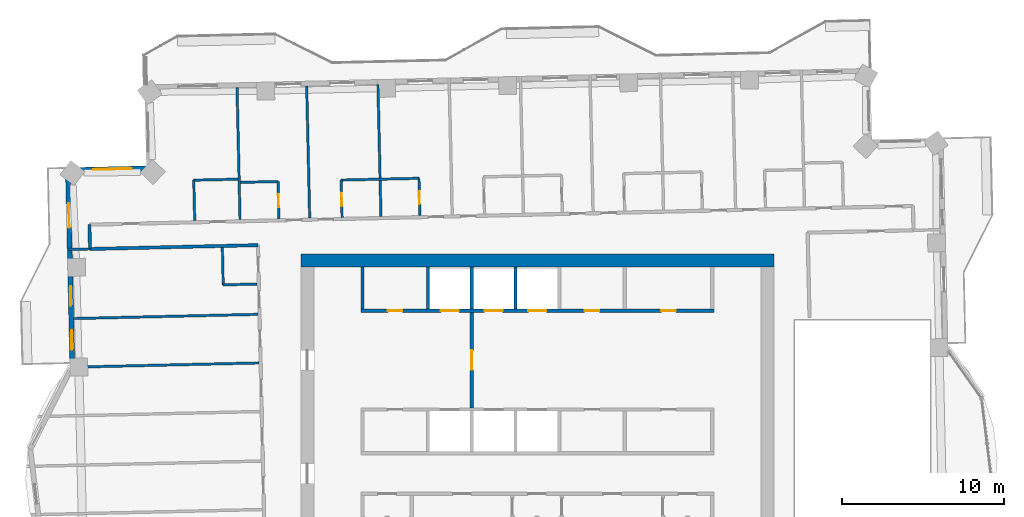
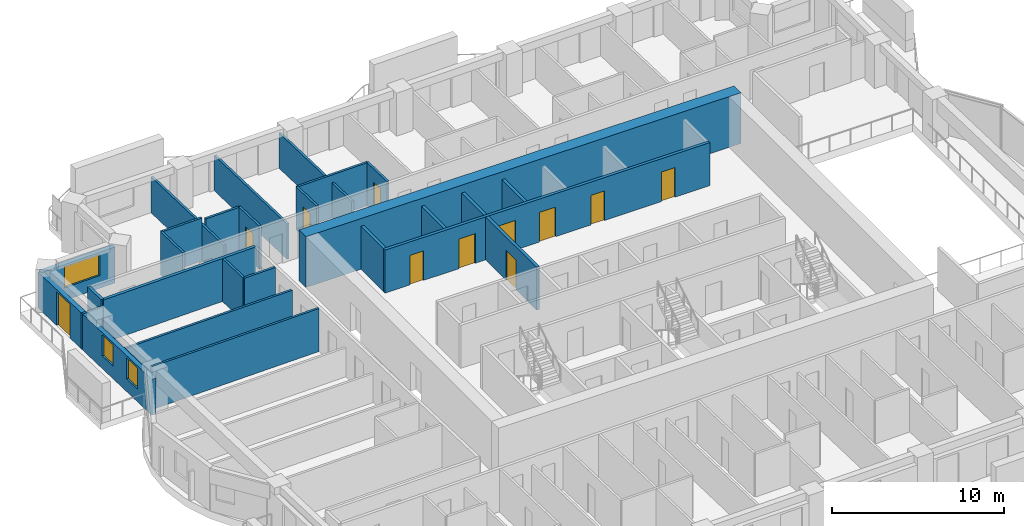
# One storey, part 10 of 17: 26 walls, 11 doors, 3 windows, 14 openings.
"""IFC4 building model written with IfcOpenShell, lengths in metres."""

from ifc_helpers import new_model, si_unit, direction, frame, frame_2d, origin, place, context, subcontext, project, spatial, rectangle, extrude, material, layer, layer_set, type_object, element, fill, save


model = new_model("IFC4")

# Units and contexts
model_context = context("Model", 3, precision=1e-05, world=origin(), true_north=direction((0.0, 1.0)))
body_context = subcontext(model_context, "Body", "Model", "MODEL_VIEW")
ifc_project = project(units=[si_unit("LENGTHUNIT", "METRE"), si_unit("AREAUNIT", "SQUARE_METRE"), si_unit("VOLUMEUNIT", "CUBIC_METRE"), si_unit("PLANEANGLEUNIT", "RADIAN"), si_unit("MASSUNIT", "GRAM", prefix="KILO")], contexts=[model_context])

# Site, building, storey
site_placement = place(None, origin())
site = spatial("IfcSite", under=ifc_project, at=site_placement, CompositionType="ELEMENT")
building_placement = place(site_placement, origin())
building = spatial("IfcBuilding", under=site, at=building_placement, Name="Mangrove Gate Tower", CompositionType="ELEMENT")
storey_placement = place(building_placement, frame((0.0, 0.0, 234.699951171875)))
storey = spatial("IfcBuildingStorey", under=building, at=storey_placement, Name="L59", CompositionType="ELEMENT", Elevation=234.699951171875)

# Wall, opening, door
ifc_material_1 = material(Name="Concrete C32/40", Category="concrete")
ifc_layer_1 = layer(ifc_material_1, 0.199951171875)
ifc_layer_set_1 = layer_set([ifc_layer_1], Name="Core lobby wall 200 C32/40")
wall_type_1 = type_object("IfcWallType", Name="Core lobby wall 200 C32/40", PredefinedType="STANDARD", material=ifc_layer_set_1)
wall_1_placement = place(storey_placement, frame((-4.050048828125, 2.10009765625, 0.0), z_axis=(0.0, 0.0, 1.0), x_axis=(0.0, 1.0, 0.0)))
wall_1 = element("IfcWall", 1, at=wall_1_placement, inside=storey, type_object=wall_type_1, Name="WALL-L59-CORE-33", PredefinedType="STANDARD", context=body_context, shape_type="SweptSolid", body=[
    extrude(rectangle(XDim=5.89990234375, YDim=0.199951171875, at=frame_2d((2.949951171875, 0.0))), origin(), (0.0, 0.0, 1.0), 3.050048828125),
])
opening_1_placement = place(wall_1_placement, frame((2.35009765625, 0.0, 0.0)))
opening_1 = element("IfcOpeningElement", 2, at=opening_1_placement, cuts=wall_1, Name="Opening FL12", PredefinedType="OPENING", context=body_context, shape_type="SweptSolid", body=[
    extrude(rectangle(XDim=1.199951171875, YDim=2.10009765625, at=frame_2d((0.60009765625, 1.050048828125))), frame((0.0, 0.10986328125, 0.0), z_axis=(0.0, -1.0, 0.0), x_axis=(1.0, 0.0, 0.0)), (0.0, 0.0, 1.0), 0.219970703125),
])
ifc_material_2 = material(Name="Fire-rated steel door set", Category="steel")
door_type_1 = type_object("IfcDoorType", Name="Lobby door FD60 1200x2100", OperationType="SINGLE_SWING_LEFT", PredefinedType="DOOR", material=ifc_material_2)
door_1_placement = place(opening_1_placement, origin())
door_1 = element("IfcDoor", 3, at=door_1_placement, inside=storey, type_object=door_type_1, Name="Lobby door lift lobby partition", OperationType="SINGLE_SWING_LEFT", OverallHeight=2.10009765625, OverallWidth=1.199951171875, PredefinedType="DOOR", context=body_context, shape_type="SweptSolid", body=[
    extrude(rectangle(XDim=1.199951171875, YDim=2.10009765625, at=frame_2d((0.60009765625, 1.050048828125))), frame((0.0, 0.02490234375, 0.0), z_axis=(0.0, -1.0, 0.0), x_axis=(1.0, 0.0, 0.0)), (0.0, 0.0, 1.0), 0.050048828125),
])
fill(opening_1, door_1)

# Wall
ifc_material_3 = material(Name="Concrete C32/40", Category="concrete")
ifc_layer_2 = layer(ifc_material_3, 0.199951171875)
ifc_layer_set_2 = layer_set([ifc_layer_2], Name="Core room wall 200 C32/40")
wall_type_2 = type_object("IfcWallType", Name="Core room wall 200 C32/40", PredefinedType="STANDARD", material=ifc_layer_set_2)
wall_2_placement = place(storey_placement, frame((-10.800048828125, 8.199951171875, 0.0), z_axis=(0.0, 0.0, 1.0), x_axis=(0.0, 1.0, 0.0)))
element("IfcWall", 4, at=wall_2_placement, inside=storey, type_object=wall_type_2, Name="WALL-L59-CORE-26", PredefinedType="STANDARD", context=body_context, shape_type="SweptSolid", body=[
    extrude(rectangle(XDim=2.60009765625, YDim=0.199951171875, at=frame_2d((1.300048828125, 0.0))), origin(), (0.0, 0.0, 1.0), 3.050048828125),
])

# Wall, openings, doors
ifc_material_4 = material(Name="Concrete C60/75", Category="concrete")
ifc_layer_3 = layer(ifc_material_4, 0.199951171875)
ifc_layer_set_3 = layer_set([ifc_layer_3], Name="Core shaft wall 200 C60/75")
wall_type_3 = type_object("IfcWallType", Name="Core shaft wall 200 C60/75", PredefinedType="SHEAR", material=ifc_layer_set_3)
wall_3_placement = place(storey_placement, frame((-10.89990234375, 8.10009765625, 0.0), z_axis=(0.0, 0.0, 1.0), x_axis=(1.0, 0.0, 0.0)))
wall_3 = element("IfcWall", 5, at=wall_3_placement, inside=storey, type_object=wall_type_3, Name="WALL-L59-CORE-8", PredefinedType="SHEAR", context=body_context, shape_type="SweptSolid", body=[
    extrude(rectangle(XDim=21.7998046875, YDim=0.199951171875, at=frame_2d((10.89990234375, 0.0))), origin(), (0.0, 0.0, 1.0), 3.050048828125),
])
opening_2_placement = place(wall_3_placement, frame((4.949951171875, 0.0, 0.0)))
opening_2 = element("IfcOpeningElement", 6, at=opening_2_placement, cuts=wall_3, Name="Opening LD", PredefinedType="OPENING", context=body_context, shape_type="SweptSolid", body=[
    extrude(rectangle(XDim=1.10009765625, YDim=2.10009765625, at=frame_2d((0.550048828125, 1.050048828125))), frame((0.0, 0.10986328125, 0.0), z_axis=(0.0, -1.0, 0.0), x_axis=(1.0, 0.0, 0.0)), (0.0, 0.0, 1.0), 0.219970703125),
])
opening_3_placement = place(wall_3_placement, frame((7.64990234375, 0.0, 0.0)))
opening_3 = element("IfcOpeningElement", 7, at=opening_3_placement, cuts=wall_3, Name="Opening LD", PredefinedType="OPENING", context=body_context, shape_type="SweptSolid", body=[
    extrude(rectangle(XDim=1.10009765625, YDim=2.10009765625, at=frame_2d((0.550048828125, 1.050048828125))), frame((0.0, 0.10986328125, 0.0), z_axis=(0.0, -1.0, 0.0), x_axis=(1.0, 0.0, 0.0)), (0.0, 0.0, 1.0), 0.219970703125),
])
opening_4_placement = place(wall_3_placement, frame((10.35009765625, 0.0, 0.0)))
opening_4 = element("IfcOpeningElement", 8, at=opening_4_placement, cuts=wall_3, Name="Opening LD", PredefinedType="OPENING", context=body_context, shape_type="SweptSolid", body=[
    extrude(rectangle(XDim=1.10009765625, YDim=2.10009765625, at=frame_2d((0.550048828125, 1.050048828125))), frame((0.0, 0.10986328125, 0.0), z_axis=(0.0, -1.0, 0.0), x_axis=(1.0, 0.0, 0.0)), (0.0, 0.0, 1.0), 0.219970703125),
])
opening_5_placement = place(wall_3_placement, frame((1.675048828125, 0.0, 0.0)))
opening_5 = element("IfcOpeningElement", 9, at=opening_5_placement, cuts=wall_3, Name="Opening KD", PredefinedType="OPENING", context=body_context, shape_type="SweptSolid", body=[
    extrude(rectangle(XDim=0.89990234375, YDim=2.10009765625, at=frame_2d((0.449951171875, 1.050048828125))), frame((0.0, 0.10986328125, 0.0), z_axis=(0.0, -1.0, 0.0), x_axis=(1.0, 0.0, 0.0)), (0.0, 0.0, 1.0), 0.219970703125),
])
opening_6_placement = place(wall_3_placement, frame((13.824951171875, 0.0, 0.0)))
opening_6 = element("IfcOpeningElement", 10, at=opening_6_placement, cuts=wall_3, Name="Opening KD", PredefinedType="OPENING", context=body_context, shape_type="SweptSolid", body=[
    extrude(rectangle(XDim=0.89990234375, YDim=2.10009765625, at=frame_2d((0.449951171875, 1.050048828125))), frame((0.0, 0.10986328125, 0.0), z_axis=(0.0, -1.0, 0.0), x_axis=(1.0, 0.0, 0.0)), (0.0, 0.0, 1.0), 0.219970703125),
])
opening_7_placement = place(wall_3_placement, frame((18.550048828125, 0.0, 0.0)))
opening_7 = element("IfcOpeningElement", 11, at=opening_7_placement, cuts=wall_3, Name="Opening RD", PredefinedType="OPENING", context=body_context, shape_type="SweptSolid", body=[
    extrude(rectangle(XDim=0.89990234375, YDim=2.10009765625, at=frame_2d((0.449951171875, 1.050048828125))), frame((0.0, 0.10986328125, 0.0), z_axis=(0.0, -1.0, 0.0), x_axis=(1.0, 0.0, 0.0)), (0.0, 0.0, 1.0), 0.219970703125),
])
ifc_material_5 = material(Name="Fire-rated steel door set", Category="steel")
door_type_2 = type_object("IfcDoorType", Name="Core room door FD30S 900x2100", OperationType="SINGLE_SWING_RIGHT", PredefinedType="DOOR", material=ifc_material_5)
door_2_placement = place(opening_5_placement, origin())
door_2 = element("IfcDoor", 12, at=door_2_placement, inside=storey, type_object=door_type_2, Name="Core room door Cleaner's store", OperationType="SINGLE_SWING_RIGHT", OverallHeight=2.10009765625, OverallWidth=0.89990234375, PredefinedType="DOOR", context=body_context, shape_type="SweptSolid", body=[
    extrude(rectangle(XDim=0.89990234375, YDim=2.10009765625, at=frame_2d((0.449951171875, 1.050048828125))), frame((0.0, 0.02490234375, 0.0), z_axis=(0.0, -1.0, 0.0), x_axis=(1.0, 0.0, 0.0)), (0.0, 0.0, 1.0), 0.050048828125),
])
fill(opening_5, door_2)
door_3_placement = place(opening_6_placement, origin())
door_3 = element("IfcDoor", 13, at=door_3_placement, inside=storey, type_object=door_type_2, Name="Core room door Refuse store", OperationType="SINGLE_SWING_RIGHT", OverallHeight=2.10009765625, OverallWidth=0.89990234375, PredefinedType="DOOR", context=body_context, shape_type="SweptSolid", body=[
    extrude(rectangle(XDim=0.89990234375, YDim=2.10009765625, at=frame_2d((0.449951171875, 1.050048828125))), frame((0.0, 0.02490234375, 0.0), z_axis=(0.0, -1.0, 0.0), x_axis=(1.0, 0.0, 0.0)), (0.0, 0.0, 1.0), 0.050048828125),
])
fill(opening_6, door_3)
ifc_material_6 = material(Name="Stainless steel 316", Category="steel")
door_type_3 = type_object("IfcDoorType", Name="Lift landing door 1100x2100", OperationType="SLIDING_TO_LEFT", PredefinedType="DOOR", material=ifc_material_6)
door_4_placement = place(opening_2_placement, origin())
door_4 = element("IfcDoor", 14, at=door_4_placement, inside=storey, type_object=door_type_3, Name="Landing door LD H04", OperationType="SLIDING_TO_LEFT", OverallHeight=2.10009765625, OverallWidth=1.10009765625, PredefinedType="DOOR", context=body_context, shape_type="SweptSolid", body=[
    extrude(rectangle(XDim=1.10009765625, YDim=2.10009765625, at=frame_2d((0.550048828125, 1.050048828125))), frame((0.0, 0.02490234375, 0.0), z_axis=(0.0, -1.0, 0.0), x_axis=(1.0, 0.0, 0.0)), (0.0, 0.0, 1.0), 0.050048828125),
])
fill(opening_2, door_4)
door_5_placement = place(opening_3_placement, origin())
door_5 = element("IfcDoor", 15, at=door_5_placement, inside=storey, type_object=door_type_3, Name="Landing door LD H05", OperationType="SLIDING_TO_LEFT", OverallHeight=2.10009765625, OverallWidth=1.10009765625, PredefinedType="DOOR", context=body_context, shape_type="SweptSolid", body=[
    extrude(rectangle(XDim=1.10009765625, YDim=2.10009765625, at=frame_2d((0.550048828125, 1.050048828125))), frame((0.0, 0.02490234375, 0.0), z_axis=(0.0, -1.0, 0.0), x_axis=(1.0, 0.0, 0.0)), (0.0, 0.0, 1.0), 0.050048828125),
])
fill(opening_3, door_5)
door_6_placement = place(opening_4_placement, origin())
door_6 = element("IfcDoor", 16, at=door_6_placement, inside=storey, type_object=door_type_3, Name="Landing door LD H06", OperationType="SLIDING_TO_LEFT", OverallHeight=2.10009765625, OverallWidth=1.10009765625, PredefinedType="DOOR", context=body_context, shape_type="SweptSolid", body=[
    extrude(rectangle(XDim=1.10009765625, YDim=2.10009765625, at=frame_2d((0.550048828125, 1.050048828125))), frame((0.0, 0.02490234375, 0.0), z_axis=(0.0, -1.0, 0.0), x_axis=(1.0, 0.0, 0.0)), (0.0, 0.0, 1.0), 0.050048828125),
])
fill(opening_4, door_6)
ifc_material_7 = material(Name="Fire-rated steel door set", Category="steel")
door_type_4 = type_object("IfcDoorType", Name="Riser door FD30S 900x2100", OperationType="SINGLE_SWING_LEFT", PredefinedType="DOOR", material=ifc_material_7)
door_7_placement = place(opening_7_placement, origin())
door_7 = element("IfcDoor", 17, at=door_7_placement, inside=storey, type_object=door_type_4, Name="Riser door Electrical room", OperationType="SINGLE_SWING_LEFT", OverallHeight=2.10009765625, OverallWidth=0.89990234375, PredefinedType="DOOR", context=body_context, shape_type="SweptSolid", body=[
    extrude(rectangle(XDim=0.89990234375, YDim=2.10009765625, at=frame_2d((0.449951171875, 1.050048828125))), frame((0.0, 0.02490234375, 0.0), z_axis=(0.0, -1.0, 0.0), x_axis=(1.0, 0.0, 0.0)), (0.0, 0.0, 1.0), 0.050048828125),
])
fill(opening_7, door_7)

# Walls
for number, where, z_axis, x_axis, name in (
    (18, (-6.75, 8.199951171875, 0.0), (0.0, 0.0, 1.0), (0.0, 1.0, 0.0), "WALL-L59-CORE-27"),
    (19, (-4.050048828125, 8.199951171875, 0.0), (0.0, 0.0, 1.0), (0.0, 1.0, 0.0), "WALL-L59-CORE-28"),
    (20, (-1.35009765625, 8.199951171875, 0.0), (0.0, 0.0, 1.0), (0.0, 1.0, 0.0), "WALL-L59-CORE-29"),
):
    element("IfcWall", number, at=place(storey_placement, frame(where, z_axis=z_axis, x_axis=x_axis)), inside=storey, type_object=wall_type_3, Name=name, PredefinedType="SHEAR", context=body_context, shape_type="SweptSolid", body=[
        extrude(rectangle(XDim=2.60009765625, YDim=0.199951171875, at=frame_2d((1.300048828125, 0.0))), origin(), (0.0, 0.0, 1.0), 3.050048828125),
    ])
ifc_material_8 = material(Name="Concrete C60/75", Category="concrete")
ifc_layer_4 = layer(ifc_material_8, 0.800048828125)
ifc_layer_set_4 = layer_set([ifc_layer_4], Name="Core wall 800 C60/75")
wall_type_4 = type_object("IfcWallType", Name="Core wall 800 C60/75", PredefinedType="SHEAR", material=ifc_layer_set_4)
wall_4_placement = place(storey_placement, frame((-14.60009765625, 11.199951171875, 0.0), z_axis=(0.0, 0.0, 1.0), x_axis=(1.0, 0.0, 0.0)))
element("IfcWall", 21, at=wall_4_placement, inside=storey, type_object=wall_type_4, Name="WALL-L59-CORE-2", PredefinedType="SHEAR", context=body_context, shape_type="SweptSolid", body=[
    extrude(rectangle(XDim=29.2001953125, YDim=0.800048828125, at=frame_2d((14.60009765625, 0.0))), origin(), (0.0, 0.0, 1.0), 3.60009765625),
])
ifc_material_9 = material(Name="Gypsum board on steel stud, EI 60", Category="steel")
ifc_layer_5 = layer(ifc_material_9, 0.199951171875)
ifc_layer_set_5 = layer_set([ifc_layer_5], Name="Corridor wall EI 60")
wall_type_5 = type_object("IfcWallType", Name="Corridor wall EI 60", PredefinedType="PARTITIONING", material=ifc_layer_set_5)
wall_5_placement = place(storey_placement, frame((-27.617919921875, 11.9130859375, 0.0), z_axis=(0.0, 0.0, 1.0), x_axis=(0.999741483035, 0.022736910479, 0.0)))
element("IfcWall", 22, at=wall_5_placement, inside=storey, type_object=wall_type_5, Name="WALL-L59-048", PredefinedType="PARTITIONING", context=body_context, shape_type="SweptSolid", body=[
    extrude(rectangle(XDim=10.37255859375, YDim=0.199951171875, at=frame_2d((5.186279296875, 0.0))), origin(), (0.0, 0.0, 1.0), 3.050048828125),
])
wall_6_placement = place(storey_placement, frame((-27.614013671875, 11.9130859375, 0.0), z_axis=(0.0, 0.0, 1.0), x_axis=(-0.022617910375, 0.999744182344, 0.0)))
element("IfcWall", 23, at=wall_6_placement, inside=storey, type_object=wall_type_5, Name="WALL-L59-049", PredefinedType="PARTITIONING", context=body_context, shape_type="SweptSolid", body=[
    extrude(rectangle(XDim=1.50048828125, YDim=0.199951171875, at=frame_2d((0.750244140625, 0.0))), origin(), (0.0, 0.0, 1.0), 3.050048828125),
])

# Wall, opening, window
ifc_material_10 = material(Name="Limestone", Category="masonry")
ifc_layer_6 = layer(ifc_material_10, 0.0400390625, Name="Limestone cladding")
ifc_material_11 = material(Name="Ventilated air gap")
ifc_layer_7 = layer(ifc_material_11, 0.0400390625, Name="Ventilated cavity")
ifc_material_12 = material(Name="Mineral wool insulation")
ifc_layer_8 = layer(ifc_material_12, 0.06005859375, Name="Insulation")
ifc_material_13 = material(Name="Breather membrane")
ifc_layer_9 = layer(ifc_material_13, 0.001953125, Name="Breather membrane")
ifc_material_14 = material(Name="Concrete C20/25 blockwork", Category="masonry")
ifc_layer_10 = layer(ifc_material_14, 0.14990234375, Name="Blockwork backing wall")
ifc_material_15 = material(Name="Gypsum plaster")
ifc_layer_11 = layer(ifc_material_15, 0.008056640625, Name="Internal plaster")
ifc_layer_set_6 = layer_set([ifc_layer_6, ifc_layer_7, ifc_layer_8, ifc_layer_9, ifc_layer_10, ifc_layer_11], Name="External wall 300 limestone cladding")
wall_type_6 = type_object("IfcWallType", Name="External wall 300 limestone cladding", PredefinedType="SOLIDWALL", material=ifc_layer_set_6)
wall_7_placement = place(storey_placement, frame((-23.98095703125, 16.89697265625, 0.0), z_axis=(0.0, 0.0, 1.0), x_axis=(-0.999744350543, -0.022610474516, 0.0)))
wall_7 = element("IfcWall", 24, at=wall_7_placement, inside=storey, type_object=wall_type_6, Name="WALL-L59-N7", PredefinedType="SOLIDWALL", context=body_context, shape_type="SweptSolid", body=[
    extrude(rectangle(XDim=4.999267578125, YDim=0.300048828125, at=frame_2d((2.49951171875, 0.0))), origin(), (0.0, 0.0, 1.0), 2.550048828125),
])
opening_8_placement = place(wall_7_placement, frame((1.0439453125, 0.0, 0.89990234375)))
opening_8 = element("IfcOpeningElement", 25, at=opening_8_placement, cuts=wall_7, Name="Opening W2", PredefinedType="OPENING", context=body_context, shape_type="SweptSolid", body=[
    extrude(rectangle(XDim=2.39990234375, YDim=1.5, at=frame_2d((1.199951171875, 0.75))), frame((0.0, 0.159912109375, 0.0), z_axis=(0.0, -1.0, 0.0), x_axis=(1.0, 0.0, 0.0)), (0.0, 0.0, 1.0), 0.320068359375),
])
ifc_material_16 = material(Name="Aluminium frame with double-glazed low-e glass", Category="aluminium")
window_type_1 = type_object("IfcWindowType", Name="Corner room window 2400x1500", PartitioningType="DOUBLE_PANEL_VERTICAL", PredefinedType="WINDOW", material=ifc_material_16)
window_1_placement = place(opening_8_placement, origin())
window_1 = element("IfcWindow", 26, at=window_1_placement, inside=storey, type_object=window_type_1, Name="WIN-L59-N7-1", OverallHeight=1.5, OverallWidth=2.39990234375, PartitioningType="DOUBLE_PANEL_VERTICAL", PredefinedType="WINDOW", context=body_context, shape_type="SweptSolid", body=[
    extrude(rectangle(XDim=2.39990234375, YDim=1.5, at=frame_2d((1.199951171875, 0.75))), frame((0.0, 0.030029296875, 0.0), z_axis=(0.0, -1.0, 0.0), x_axis=(1.0, 0.0, 0.0)), (0.0, 0.0, 1.0), 0.06005859375),
])
fill(opening_8, window_1)

# Wall, openings, door, windows
wall_8_placement = place(storey_placement, frame((-28.97900390625, 16.783935546875, 0.0), z_axis=(0.0, 0.0, 1.0), x_axis=(0.022640773908, -0.999743664825, 0.0)))
wall_8 = element("IfcWall", 27, at=wall_8_placement, inside=storey, type_object=wall_type_6, Name="WALL-L59-W8s1", PredefinedType="SOLIDWALL", context=body_context, shape_type="SweptSolid", body=[
    extrude(rectangle(XDim=12.72412109375, YDim=0.300048828125, at=frame_2d((6.362060546875, 0.0))), origin(), (0.0, 0.0, 1.0), 2.550048828125),
])
opening_9_placement = place(wall_8_placement, frame((2.06005859375, 0.0, 0.0)))
opening_9 = element("IfcOpeningElement", 28, at=opening_9_placement, cuts=wall_8, Name="Opening BD1", PredefinedType="OPENING", context=body_context, shape_type="SweptSolid", body=[
    extrude(rectangle(XDim=1.5, YDim=2.39990234375, at=frame_2d((0.75, 1.199951171875))), frame((0.0, 0.159912109375, 0.0), z_axis=(0.0, -1.0, 0.0), x_axis=(1.0, 0.0, 0.0)), (0.0, 0.0, 1.0), 0.320068359375),
])
opening_10_placement = place(wall_8_placement, frame((7.1689453125, 0.0, 0.89990234375)))
opening_10 = element("IfcOpeningElement", 29, at=opening_10_placement, cuts=wall_8, Name="Opening W1", PredefinedType="OPENING", context=body_context, shape_type="SweptSolid", body=[
    extrude(rectangle(XDim=1.199951171875, YDim=1.5, at=frame_2d((0.60009765625, 0.75))), frame((0.0, 0.159912109375, 0.0), z_axis=(0.0, -1.0, 0.0), x_axis=(1.0, 0.0, 0.0)), (0.0, 0.0, 1.0), 0.320068359375),
])
opening_11_placement = place(wall_8_placement, frame((9.89892578125, 0.0, 0.89990234375)))
opening_11 = element("IfcOpeningElement", 30, at=opening_11_placement, cuts=wall_8, Name="Opening W1", PredefinedType="OPENING", context=body_context, shape_type="SweptSolid", body=[
    extrude(rectangle(XDim=1.199951171875, YDim=1.5, at=frame_2d((0.60009765625, 0.75))), frame((0.0, 0.159912109375, 0.0), z_axis=(0.0, -1.0, 0.0), x_axis=(1.0, 0.0, 0.0)), (0.0, 0.0, 1.0), 0.320068359375),
])
ifc_material_17 = material(Name="Aluminium frame with laminated clear glass", Category="aluminium")
door_type_5 = type_object("IfcDoorType", Name="Balcony sliding door 1500x2400", OperationType="SLIDING_TO_LEFT", PredefinedType="DOOR", material=ifc_material_17)
door_8_placement = place(opening_9_placement, origin())
door_8 = element("IfcDoor", 31, at=door_8_placement, inside=storey, type_object=door_type_5, Name="DOOR-L59-W8-1", OperationType="SLIDING_TO_LEFT", OverallHeight=2.39990234375, OverallWidth=1.5, PredefinedType="DOOR", context=body_context, shape_type="SweptSolid", body=[
    extrude(rectangle(XDim=1.5, YDim=2.39990234375, at=frame_2d((0.75, 1.199951171875))), frame((0.0, 0.02490234375, 0.0), z_axis=(0.0, -1.0, 0.0), x_axis=(1.0, 0.0, 0.0)), (0.0, 0.0, 1.0), 0.050048828125),
])
fill(opening_9, door_8)
ifc_material_18 = material(Name="Aluminium frame with double-glazed low-e glass", Category="aluminium")
window_type_2 = type_object("IfcWindowType", Name="Side lite 1200x1500", PartitioningType="SINGLE_PANEL", PredefinedType="WINDOW", material=ifc_material_18)
window_2_placement = place(opening_10_placement, origin())
window_2 = element("IfcWindow", 32, at=window_2_placement, inside=storey, type_object=window_type_2, Name="WIN-L59-W8-2", OverallHeight=1.5, OverallWidth=1.199951171875, PartitioningType="SINGLE_PANEL", PredefinedType="WINDOW", context=body_context, shape_type="SweptSolid", body=[
    extrude(rectangle(XDim=1.199951171875, YDim=1.5, at=frame_2d((0.60009765625, 0.75))), frame((0.0, 0.030029296875, 0.0), z_axis=(0.0, -1.0, 0.0), x_axis=(1.0, 0.0, 0.0)), (0.0, 0.0, 1.0), 0.06005859375),
])
fill(opening_10, window_2)
window_3_placement = place(opening_11_placement, origin())
window_3 = element("IfcWindow", 33, at=window_3_placement, inside=storey, type_object=window_type_2, Name="WIN-L59-W8-3", OverallHeight=1.5, OverallWidth=1.199951171875, PartitioningType="SINGLE_PANEL", PredefinedType="WINDOW", context=body_context, shape_type="SweptSolid", body=[
    extrude(rectangle(XDim=1.199951171875, YDim=1.5, at=frame_2d((0.60009765625, 0.75))), frame((0.0, 0.030029296875, 0.0), z_axis=(0.0, -1.0, 0.0), x_axis=(1.0, 0.0, 0.0)), (0.0, 0.0, 1.0), 0.06005859375),
])
fill(opening_11, window_3)

# Walls
ifc_material_19 = material(Name="Gypsum board on steel stud, EI 60", Category="steel")
ifc_layer_12 = layer(ifc_material_19, 0.14990234375)
ifc_layer_set_7 = layer_set([ifc_layer_12], Name="Party wall 150 EI 60")
wall_type_7 = type_object("IfcWallType", Name="Party wall 150 EI 60", PredefinedType="PARTITIONING", material=ifc_layer_set_7)
wall_9_placement = place(storey_placement, frame((-28.553955078125, 4.6201171875, 0.0), z_axis=(0.0, 0.0, 1.0), x_axis=(0.999743064147, 0.022667282356, 0.0)))
element("IfcWall", 34, at=wall_9_placement, inside=storey, type_object=wall_type_7, Name="WALL-L59-042", PredefinedType="PARTITIONING", context=body_context, shape_type="SweptSolid", body=[
    extrude(rectangle(XDim=11.373779296875, YDim=0.14990234375, at=frame_2d((5.68701171875, 0.0))), origin(), (0.0, 0.0, 1.0), 3.050048828125),
])
wall_10_placement = place(storey_placement, frame((-28.62109375, 7.618896484375, 0.0), z_axis=(0.0, 0.0, 1.0), x_axis=(0.999742544331, 0.022690197315, 0.0)))
element("IfcWall", 35, at=wall_10_placement, inside=storey, type_object=wall_type_7, Name="WALL-L59-044", PredefinedType="PARTITIONING", context=body_context, shape_type="SweptSolid", body=[
    extrude(rectangle(XDim=11.373046875, YDim=0.14990234375, at=frame_2d((5.6865234375, 0.0))), origin(), (0.0, 0.0, 1.0), 2.550048828125),
])
wall_11_placement = place(storey_placement, frame((-19.39306640625, 9.698974609375, 0.0), z_axis=(0.0, 0.0, 1.0), x_axis=(0.999737616439, 0.022906293375, 0.0)))
element("IfcWall", 36, at=wall_11_placement, inside=storey, type_object=wall_type_7, Name="WALL-L59-045", PredefinedType="PARTITIONING", context=body_context, shape_type="SweptSolid", body=[
    extrude(rectangle(XDim=2.099609375, YDim=0.14990234375, at=frame_2d((1.0498046875, 0.0))), origin(), (0.0, 0.0, 1.0), 3.050048828125),
])
wall_12_placement = place(storey_placement, frame((-19.39208984375, 9.698974609375, 0.0), z_axis=(0.0, 0.0, 1.0), x_axis=(-0.022603288534, 0.999744513037, 0.0)))
element("IfcWall", 37, at=wall_12_placement, inside=storey, type_object=wall_type_7, Name="WALL-L59-046", PredefinedType="PARTITIONING", context=body_context, shape_type="SweptSolid", body=[
    extrude(rectangle(XDim=2.300537109375, YDim=0.14990234375, at=frame_2d((1.150390625, 0.0))), origin(), (0.0, 0.0, 1.0), 3.050048828125),
])
wall_13_placement = place(storey_placement, frame((-29.01806640625, 11.881103515625, 0.0), z_axis=(0.0, 0.0, 1.0), x_axis=(0.999740667531, 0.022772739949, 0.0)))
element("IfcWall", 38, at=wall_13_placement, inside=storey, type_object=wall_type_7, Name="WALL-L59-047", PredefinedType="PARTITIONING", context=body_context, shape_type="SweptSolid", body=[
    extrude(rectangle(XDim=1.404296875, YDim=0.14990234375, at=frame_2d((0.7021484375, 0.0))), origin(), (0.0, 0.0, 1.0), 2.550048828125),
])
wall_14_placement = place(storey_placement, frame((-21.152099609375, 13.659912109375, 0.0), z_axis=(0.0, 0.0, 1.0), x_axis=(-0.02274801823, 0.999741230352, 0.0)))
element("IfcWall", 39, at=wall_14_placement, inside=storey, type_object=wall_type_7, Name="WALL-L59-054", PredefinedType="PARTITIONING", context=body_context, shape_type="SweptSolid", body=[
    extrude(rectangle(XDim=2.500732421875, YDim=0.14990234375, at=frame_2d((1.25048828125, 0.0))), origin(), (0.0, 0.0, 1.0), 3.050048828125),
])
wall_15_placement = place(storey_placement, frame((-18.35302734375, 13.72412109375, 0.0), z_axis=(0.0, 0.0, 1.0), x_axis=(-0.022706435224, 0.999742175663, 0.0)))
element("IfcWall", 40, at=wall_15_placement, inside=storey, type_object=wall_type_7, Name="WALL-L59-055", PredefinedType="PARTITIONING", context=body_context, shape_type="SweptSolid", body=[
    extrude(rectangle(XDim=8.150146484375, YDim=0.14990234375, at=frame_2d((4.0751953125, 0.0))), origin(), (0.0, 0.0, 1.0), 2.550048828125),
])

# Wall, opening, door
wall_16_placement = place(storey_placement, frame((-15.9541015625, 13.778076171875, 0.0), z_axis=(0.0, 0.0, 1.0), x_axis=(-0.022605686808, 0.999744458811, 0.0)))
wall_16 = element("IfcWall", 41, at=wall_16_placement, inside=storey, type_object=wall_type_7, Name="WALL-L59-056", PredefinedType="PARTITIONING", context=body_context, shape_type="SweptSolid", body=[
    extrude(rectangle(XDim=2.30029296875, YDim=0.14990234375, at=frame_2d((1.150146484375, 0.0))), origin(), (0.0, 0.0, 1.0), 3.050048828125),
])
opening_12_placement = place(wall_16_placement, frame((0.699951171875, 0.0, 0.0)))
opening_12 = element("IfcOpeningElement", 42, at=opening_12_placement, cuts=wall_16, Name="Opening ED", PredefinedType="OPENING", context=body_context, shape_type="SweptSolid", body=[
    extrude(rectangle(XDim=0.800048828125, YDim=2.10009765625, at=frame_2d((0.39990234375, 1.050048828125))), frame((0.0, 0.0849609375, 0.0), z_axis=(0.0, -1.0, 0.0), x_axis=(1.0, 0.0, 0.0)), (0.0, 0.0, 1.0), 0.169921875),
])
ifc_material_20 = material(Name="Timber door leaf", Category="wood")
door_type_6 = type_object("IfcDoorType", Name="En-suite door 800", OperationType="SINGLE_SWING_LEFT", PredefinedType="DOOR", material=ifc_material_20)
door_9_placement = place(opening_12_placement, origin())
door_9 = element("IfcDoor", 43, at=door_9_placement, inside=storey, type_object=door_type_6, Name="DOOR-L59-ENS-c516", OperationType="SINGLE_SWING_RIGHT", OverallHeight=2.10009765625, OverallWidth=0.800048828125, PredefinedType="DOOR", context=body_context, shape_type="SweptSolid", body=[
    extrude(rectangle(XDim=0.800048828125, YDim=2.10009765625, at=frame_2d((0.39990234375, 1.050048828125))), frame((0.0, 0.02490234375, 0.0), z_axis=(0.0, -1.0, 0.0), x_axis=(1.0, 0.0, 0.0)), (0.0, 0.0, 1.0), 0.050048828125),
])
fill(opening_12, door_9)

# Wall
wall_17_placement = place(storey_placement, frame((-14.053955078125, 13.821044921875, 0.0), z_axis=(0.0, 0.0, 1.0), x_axis=(-0.022706435224, 0.999742175663, 0.0)))
element("IfcWall", 44, at=wall_17_placement, inside=storey, type_object=wall_type_7, Name="WALL-L59-057", PredefinedType="PARTITIONING", context=body_context, shape_type="SweptSolid", body=[
    extrude(rectangle(XDim=8.150146484375, YDim=0.14990234375, at=frame_2d((4.0751953125, 0.0))), origin(), (0.0, 0.0, 1.0), 2.5),
])

# Wall, opening, door
wall_18_placement = place(storey_placement, frame((-12.054931640625, 13.866943359375, 0.0), z_axis=(0.0, 0.0, 1.0), x_axis=(-0.022612884682, 0.999744296031, 0.0)))
wall_18 = element("IfcWall", 45, at=wall_18_placement, inside=storey, type_object=wall_type_7, Name="WALL-L59-058", PredefinedType="PARTITIONING", context=body_context, shape_type="SweptSolid", body=[
    extrude(rectangle(XDim=2.299560546875, YDim=0.14990234375, at=frame_2d((1.14990234375, 0.0))), origin(), (0.0, 0.0, 1.0), 3.050048828125),
])
opening_13_placement = place(wall_18_placement, frame((0.699951171875, 0.0, 0.0)))
opening_13 = element("IfcOpeningElement", 46, at=opening_13_placement, cuts=wall_18, Name="Opening ED", PredefinedType="OPENING", context=body_context, shape_type="SweptSolid", body=[
    extrude(rectangle(XDim=0.800048828125, YDim=2.10009765625, at=frame_2d((0.39990234375, 1.050048828125))), frame((0.0, 0.0849609375, 0.0), z_axis=(0.0, -1.0, 0.0), x_axis=(1.0, 0.0, 0.0)), (0.0, 0.0, 1.0), 0.169921875),
])
door_10_placement = place(opening_13_placement, origin())
door_10 = element("IfcDoor", 47, at=door_10_placement, inside=storey, type_object=door_type_6, Name="DOOR-L59-ENS-c515", OperationType="SINGLE_SWING_LEFT", OverallHeight=2.10009765625, OverallWidth=0.800048828125, PredefinedType="DOOR", context=body_context, shape_type="SweptSolid", body=[
    extrude(rectangle(XDim=0.800048828125, YDim=2.10009765625, at=frame_2d((0.39990234375, 1.050048828125))), frame((0.0, 0.02490234375, 0.0), z_axis=(0.0, -1.0, 0.0), x_axis=(1.0, 0.0, 0.0)), (0.0, 0.0, 1.0), 0.050048828125),
])
fill(opening_13, door_10)

# Wall
wall_19_placement = place(storey_placement, frame((-9.655029296875, 13.9208984375, 0.0), z_axis=(0.0, 0.0, 1.0), x_axis=(-0.022705755232, 0.999742191107, 0.0)))
element("IfcWall", 48, at=wall_19_placement, inside=storey, type_object=wall_type_7, Name="WALL-L59-059", PredefinedType="PARTITIONING", context=body_context, shape_type="SweptSolid", body=[
    extrude(rectangle(XDim=8.150390625, YDim=0.14990234375, at=frame_2d((4.0751953125, 0.0))), origin(), (0.0, 0.0, 1.0), 2.5),
])

# Wall, opening, door
wall_20_placement = place(storey_placement, frame((-7.256103515625, 13.97607421875, 0.0), z_axis=(0.0, 0.0, 1.0), x_axis=(-0.022615284993, 0.999744241736, 0.0)))
wall_20 = element("IfcWall", 49, at=wall_20_placement, inside=storey, type_object=wall_type_7, Name="WALL-L59-060", PredefinedType="PARTITIONING", context=body_context, shape_type="SweptSolid", body=[
    extrude(rectangle(XDim=2.29931640625, YDim=0.14990234375, at=frame_2d((1.149658203125, 0.0))), origin(), (0.0, 0.0, 1.0), 3.050048828125),
])
opening_14_placement = place(wall_20_placement, frame((0.699951171875, 0.0, 0.0)))
opening_14 = element("IfcOpeningElement", 50, at=opening_14_placement, cuts=wall_20, Name="Opening ED", PredefinedType="OPENING", context=body_context, shape_type="SweptSolid", body=[
    extrude(rectangle(XDim=0.800048828125, YDim=2.10009765625, at=frame_2d((0.39990234375, 1.050048828125))), frame((0.0, 0.0849609375, 0.0), z_axis=(0.0, -1.0, 0.0), x_axis=(1.0, 0.0, 0.0)), (0.0, 0.0, 1.0), 0.169921875),
])
door_11_placement = place(opening_14_placement, origin())
door_11 = element("IfcDoor", 51, at=door_11_placement, inside=storey, type_object=door_type_6, Name="DOOR-L59-ENS-c514", OperationType="SINGLE_SWING_RIGHT", OverallHeight=2.10009765625, OverallWidth=0.800048828125, PredefinedType="DOOR", context=body_context, shape_type="SweptSolid", body=[
    extrude(rectangle(XDim=0.800048828125, YDim=2.10009765625, at=frame_2d((0.39990234375, 1.050048828125))), frame((0.0, 0.02490234375, 0.0), z_axis=(0.0, -1.0, 0.0), x_axis=(1.0, 0.0, 0.0)), (0.0, 0.0, 1.0), 0.050048828125),
])
fill(opening_14, door_11)

# Walls
wall_21_placement = place(storey_placement, frame((-18.333984375, 16.02490234375, 0.0), z_axis=(0.0, 0.0, 1.0), x_axis=(0.999740260747, 0.02279059109, 0.0)))
element("IfcWall", 52, at=wall_21_placement, inside=storey, type_object=wall_type_7, Name="WALL-L59-073", PredefinedType="PARTITIONING", context=body_context, shape_type="SweptSolid", body=[
    extrude(rectangle(XDim=2.324462890625, YDim=0.14990234375, at=frame_2d((1.162109375, 0.0))), origin(), (0.0, 0.0, 1.0), 3.050048828125),
])
wall_22_placement = place(storey_placement, frame((-12.111083984375, 16.166015625, 0.0), z_axis=(0.0, 0.0, 1.0), x_axis=(0.999742701292, 0.022683280499, 0.0)))
element("IfcWall", 53, at=wall_22_placement, inside=storey, type_object=wall_type_7, Name="WALL-L59-074", PredefinedType="PARTITIONING", context=body_context, shape_type="SweptSolid", body=[
    extrude(rectangle(XDim=4.80029296875, YDim=0.14990234375, at=frame_2d((2.400146484375, 0.0))), origin(), (0.0, 0.0, 1.0), 3.050048828125),
])
wall_23_placement = place(storey_placement, frame((-21.212890625, 16.159912109375, 0.0), z_axis=(0.0, 0.0, 1.0), x_axis=(0.999749047428, 0.022401833993, 0.0)))
element("IfcWall", 54, at=wall_23_placement, inside=storey, type_object=wall_type_7, Name="WALL-L59-078", PredefinedType="PARTITIONING", context=body_context, shape_type="SweptSolid", body=[
    extrude(rectangle(XDim=2.724609375, YDim=0.14990234375, at=frame_2d((1.3623046875, 0.0))), origin(), (0.0, 0.0, 1.0), 3.050048828125),
])

save(model, "model.ifc")
